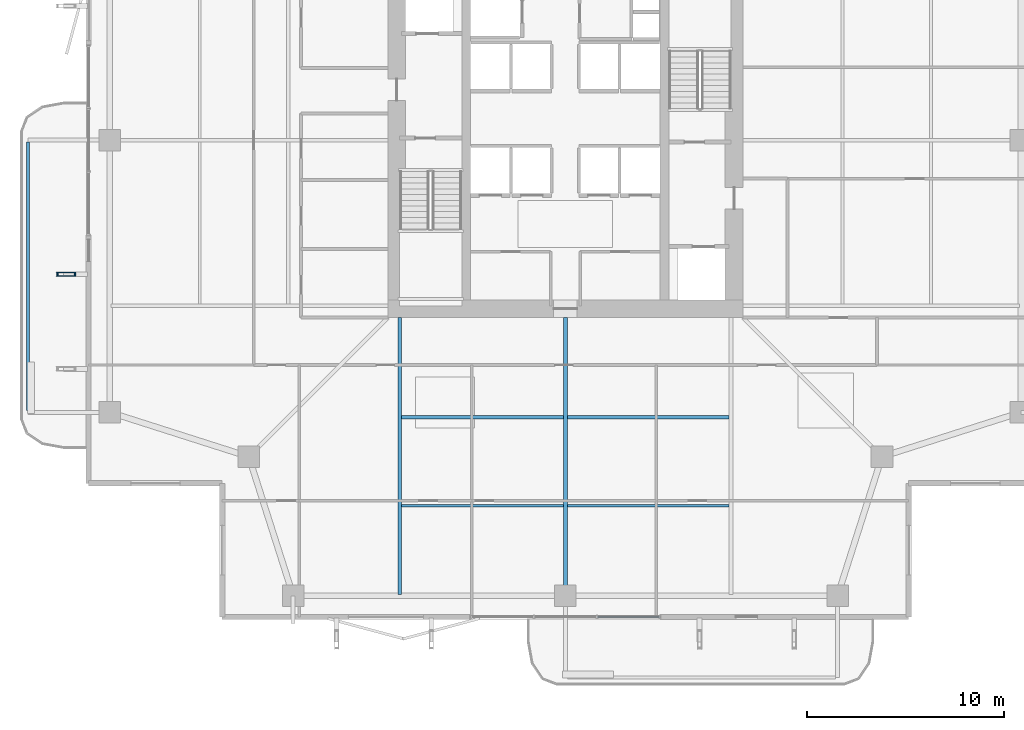
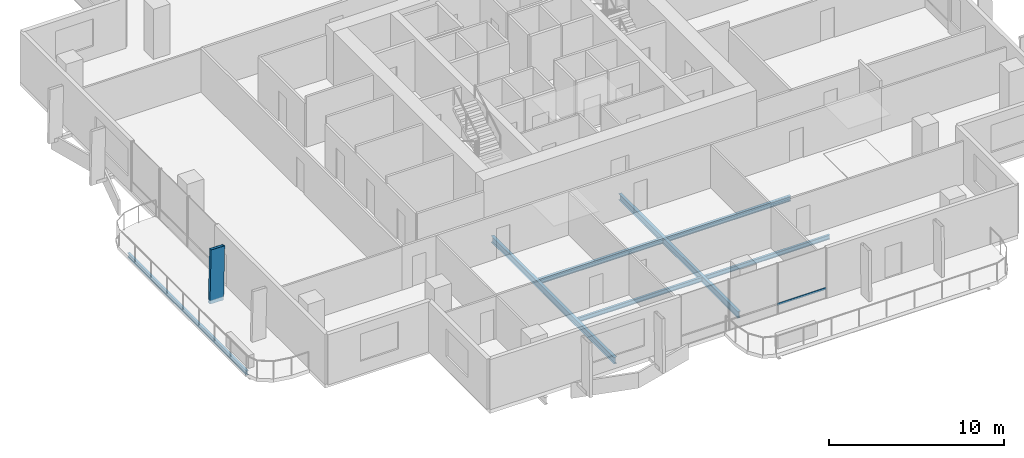
# One storey, part 3 of 24: 7 beams, 2 members, 1 element without a shape of its own.
"""IFC4 building model written with IfcOpenShell, lengths in metres."""

from ifc_helpers import new_model, si_unit, direction, frame, origin, origin_2d, place, context, subcontext, project, spatial, hollow_rectangle, i_section, extrude, material, layer, layer_set, material_profile, profile_set, type_object, element, aggregate, save


model = new_model("IFC4")

# Units and contexts
model_context = context("Model", 3, precision=1e-05, world=origin(), true_north=direction((0.0, 1.0)))
body_context = subcontext(model_context, "Body", "Model", "MODEL_VIEW")
ifc_project = project(units=[si_unit("LENGTHUNIT", "METRE"), si_unit("AREAUNIT", "SQUARE_METRE"), si_unit("VOLUMEUNIT", "CUBIC_METRE"), si_unit("PLANEANGLEUNIT", "RADIAN"), si_unit("MASSUNIT", "GRAM", prefix="KILO")], contexts=[model_context])

# Site, building, storey
site_placement = place(None, origin())
site = spatial("IfcSite", under=ifc_project, at=site_placement, CompositionType="ELEMENT")
building_placement = place(site_placement, origin())
building = spatial("IfcBuilding", under=site, at=building_placement, Name="Belovzor Exchange Tower", CompositionType="ELEMENT")
storey_placement = place(building_placement, frame((0.0, 0.0, 168.300048828125)))
storey = spatial("IfcBuildingStorey", under=building, at=storey_placement, Name="L41", CompositionType="ELEMENT", Elevation=168.300048828125)

# Beams
ifc_material_1 = material(Name="Steel S355", Category="steel")
ifc_material_profile_1 = material_profile(ifc_material_1, i_section(OverallWidth=0.14990234375, OverallDepth=0.300048828125, WebThickness=0.007080078125, FlangeThickness=0.0107421875, at=origin_2d()))
ifc_profile_set_1 = profile_set([ifc_material_profile_1], Name="Steel S355")
beam_type_1 = type_object("IfcBeamType", Name="Planted Balcony Fascia Edge Beam IPE 300", PredefinedType="BEAM", material=ifc_profile_set_1)
beam_1_placement = place(storey_placement, frame((1.547119140625, 28.699951171875, -0.405029296875), z_axis=(0.0, -1.0, 0.0), x_axis=(1.0, 0.0, 0.0)))
element("IfcBeam", 1, at=beam_1_placement, inside=storey, type_object=beam_type_1, Name="BC-300 Planted Balcony Fascia Edge Beam IPE 300", PredefinedType="BEAM", context=body_context, shape_type="SweptSolid", body=[
    extrude(i_section(OverallWidth=0.14990234375, OverallDepth=0.300048828125, WebThickness=0.007080078125, FlangeThickness=0.0107421875, at=origin_2d()), origin(), (0.0, 0.0, 1.0), 13.599853515625),
])
ifc_material_2 = material(Name="Steel S355", Category="steel")
ifc_material_profile_2 = material_profile(ifc_material_2, i_section(OverallWidth=0.169921875, OverallDepth=0.360107421875, WebThickness=0.008056640625, FlangeThickness=0.0126953125, at=origin_2d()))
ifc_profile_set_2 = profile_set([ifc_material_profile_2], Name="Steel S355")
beam_type_2 = type_object("IfcBeamType", Name="Secondary Infill Floor Joist IPE 360", PredefinedType="BEAM", material=ifc_profile_set_2)
for number, where, z_axis, x_axis, name in (
    (2, (20.4951171875, 14.7509765625, -0.43505859375), (1.0, 0.0, 0.0), (0.0, 1.0, 0.0), "FJ-360 Secondary Infill Floor Joist IPE 360"),
    (3, (28.89501953125, 14.7509765625, -0.43505859375), (1.0, 0.0, 0.0), (0.0, 1.0, 0.0), "FJ-360 Secondary Infill Floor Joist IPE 360"),
):
    element("IfcBeam", number, at=place(storey_placement, frame(where, z_axis=z_axis, x_axis=x_axis)), inside=storey, type_object=beam_type_2, Name=name, PredefinedType="BEAM", context=body_context, shape_type="SweptSolid", body=[
        extrude(i_section(OverallWidth=0.169921875, OverallDepth=0.360107421875, WebThickness=0.008056640625, FlangeThickness=0.0126953125, at=origin_2d()), origin(), (0.0, 0.0, 1.0), 8.2099609375),
    ])
ifc_material_3 = material(Name="Steel S355", Category="steel")
ifc_material_profile_3 = material_profile(ifc_material_3, i_section(OverallWidth=0.14990234375, OverallDepth=0.300048828125, WebThickness=0.007080078125, FlangeThickness=0.0107421875, at=origin_2d()))
ifc_profile_set_3 = profile_set([ifc_material_profile_3], Name="Steel S355")
beam_type_3 = type_object("IfcBeamType", Name="Secondary Trim Floor Joist IPE 300", PredefinedType="BEAM", material=ifc_profile_set_3)
for number, where, z_axis, x_axis, name in (
    (4, (20.4951171875, 10.262939453125, -0.405029296875), (1.0, 0.0, 0.0), (0.0, 1.0, 0.0), "FJ-300 Secondary Trim Floor Joist IPE 300"),
    (5, (28.89501953125, 10.262939453125, -0.405029296875), (1.0, 0.0, 0.0), (0.0, 1.0, 0.0), "FJ-300 Secondary Trim Floor Joist IPE 300"),
):
    element("IfcBeam", number, at=place(storey_placement, frame(where, z_axis=z_axis, x_axis=x_axis)), inside=storey, type_object=beam_type_3, Name=name, PredefinedType="BEAM", context=body_context, shape_type="SweptSolid", body=[
        extrude(i_section(OverallWidth=0.14990234375, OverallDepth=0.300048828125, WebThickness=0.007080078125, FlangeThickness=0.0107421875, at=origin_2d()), origin(), (0.0, 0.0, 1.0), 8.2099609375),
    ])

# Member
ifc_material_4 = material(Name="Extruded Architectural Terracotta on Steel S355 Carrier", Category="masonry")
ifc_material_profile_4 = material_profile(ifc_material_4, hollow_rectangle(XDim=0.199951171875, YDim=0.89990234375, WallThickness=0.011962890625, at=origin_2d()))
ifc_profile_set_4 = profile_set([ifc_material_profile_4], Name="Extruded Architectural Terracotta on Steel S355 Carrier")
member_type_1 = type_object("IfcMemberType", Name="Sweeping Terracotta Baguette Fin Assembly 1250", PredefinedType="USERDEFINED", material=ifc_profile_set_4)
member_1_placement = place(storey_placement, frame((3.43994140625, 22.0, -0.255126953125), z_axis=(0.021089058773, 0.0, 0.999777601069), x_axis=(0.0, 1.0, 0.0)))
element("IfcMember", 6, at=member_1_placement, inside=storey, type_object=member_type_1, Name="FIN-TC125 Terracotta Facade Fin L41 W2", ObjectType="FIN", PredefinedType="USERDEFINED", context=body_context, shape_type="SweptSolid", body=[
    extrude(hollow_rectangle(XDim=0.199951171875, YDim=0.89990234375, WallThickness=0.011962890625, at=origin_2d()), origin(), (0.0, 0.0, 1.0), 3.750732421875),
])

# Curtain wall, member
ifc_material_5 = material(Name="Anodised Aluminium Framing", Category="aluminium")
ifc_layer = layer(ifc_material_5, 0.179931640625)
ifc_layer_set = layer_set([ifc_layer], Name="Anodised Aluminium Framing")
curtain_wall_type = type_object("IfcCurtainWallType", Name="Recessed Loggia Low-Iron Triple-Glazed Curtain Wall", PredefinedType="NOTDEFINED", material=ifc_layer_set)
curtain_wall_placement = place(storey_placement, origin())
curtain_wall = element("IfcCurtainWall", 7, at=curtain_wall_placement, inside=storey, type_object=curtain_wall_type, Name="CW3 Recessed Loggia Low-Iron Triple-Glazed Curtain Wall L41", PredefinedType="NOTDEFINED")
ifc_material_6 = material(Name="Steel S355", Category="steel")
ifc_material_profile_5 = material_profile(ifc_material_6, hollow_rectangle(XDim=0.06005859375, YDim=0.14990234375, WallThickness=0.00390625, at=origin_2d()))
ifc_profile_set_5 = profile_set([ifc_material_profile_5], Name="Steel S355")
member_type_2 = type_object("IfcMemberType", Name="Thermally Broken Curtain Wall Transom 150x60", PredefinedType="USERDEFINED", material=ifc_profile_set_5)
member_2_placement = place(storey_placement, frame((33.592041015625, 4.6298828125, 0.62890625), z_axis=(-1.0, 0.0, 0.0), x_axis=(0.0, -1.0, 0.0)))
member_2 = element("IfcMember", 8, at=member_2_placement, type_object=member_type_2, Name="CW-T150 Curtain Wall Transom 1", ObjectType="TRANSOM", PredefinedType="USERDEFINED", context=body_context, shape_type="SweptSolid", body=[
    extrude(hollow_rectangle(XDim=0.06005859375, YDim=0.14990234375, WallThickness=0.00390625, at=origin_2d()), origin(), (0.0, 0.0, 1.0), 3.18408203125),
])
aggregate(curtain_wall, [member_2])

# Beams
ifc_material_7 = material(Name="Steel S355", Category="steel")
ifc_material_profile_6 = material_profile(ifc_material_7, i_section(OverallWidth=0.18994140625, OverallDepth=0.449951171875, WebThickness=0.009521484375, FlangeThickness=0.0146484375, at=origin_2d()))
ifc_profile_set_6 = profile_set([ifc_material_profile_6], Name="Steel S355")
beam_type_4 = type_object("IfcBeamType", Name="Zone 2-4 Radial Composite Floor Beam IPE 450", PredefinedType="BEAM", material=ifc_profile_set_6)
beam_2_placement = place(storey_placement, frame((20.39990234375, 19.800048828125, -0.47998046875), z_axis=(0.0, -1.0, 0.0), x_axis=(1.0, 0.0, 0.0)))
element("IfcBeam", 9, at=beam_2_placement, inside=storey, type_object=beam_type_4, Name="FB-450 Zone 2-4 Radial Composite Floor Beam IPE 450", PredefinedType="BEAM", context=body_context, shape_type="SweptSolid", body=[
    extrude(i_section(OverallWidth=0.18994140625, OverallDepth=0.449951171875, WebThickness=0.009521484375, FlangeThickness=0.0146484375, at=origin_2d()), origin(), (0.0, 0.0, 1.0), 14.025146484375),
])
beam_3_placement = place(storey_placement, frame((28.800048828125, 19.800048828125, -0.47998046875), z_axis=(0.0, -1.0, 0.0), x_axis=(1.0, 0.0, 0.0)))
element("IfcBeam", 10, at=beam_3_placement, inside=storey, type_object=beam_type_4, Name="FB-450 Zone 2-4 Radial Composite Floor Beam IPE 450", PredefinedType="BEAM", context=body_context, shape_type="SweptSolid", body=[
    extrude(i_section(OverallWidth=0.18994140625, OverallDepth=0.449951171875, WebThickness=0.009521484375, FlangeThickness=0.0146484375, at=origin_2d()), origin(), (0.0, 0.0, 1.0), 13.615966796875),
])

save(model, "model.ifc")
